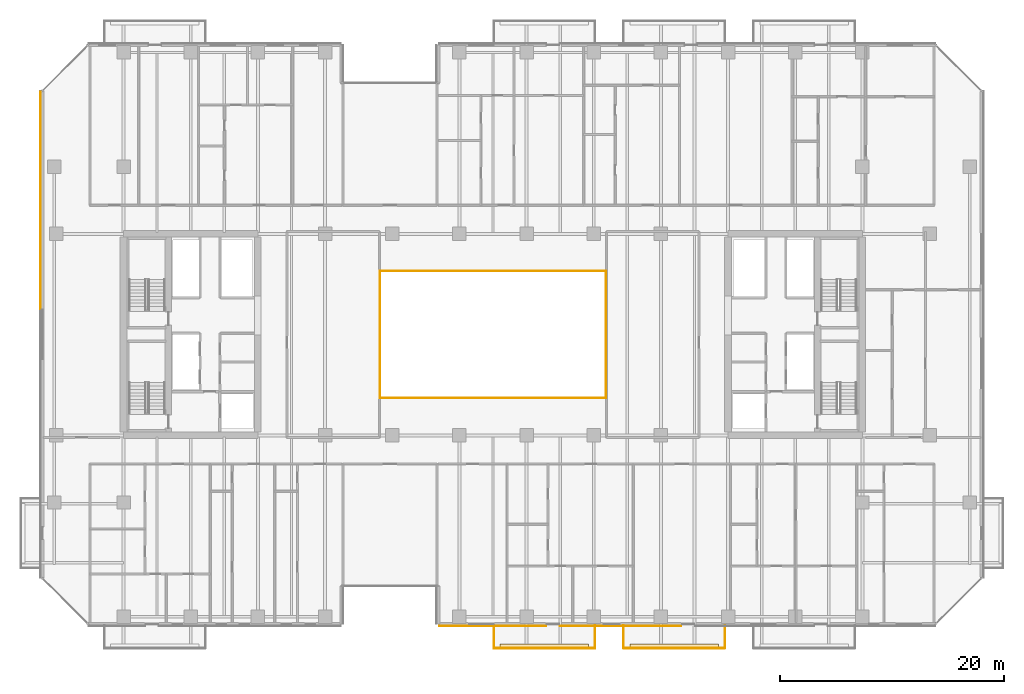
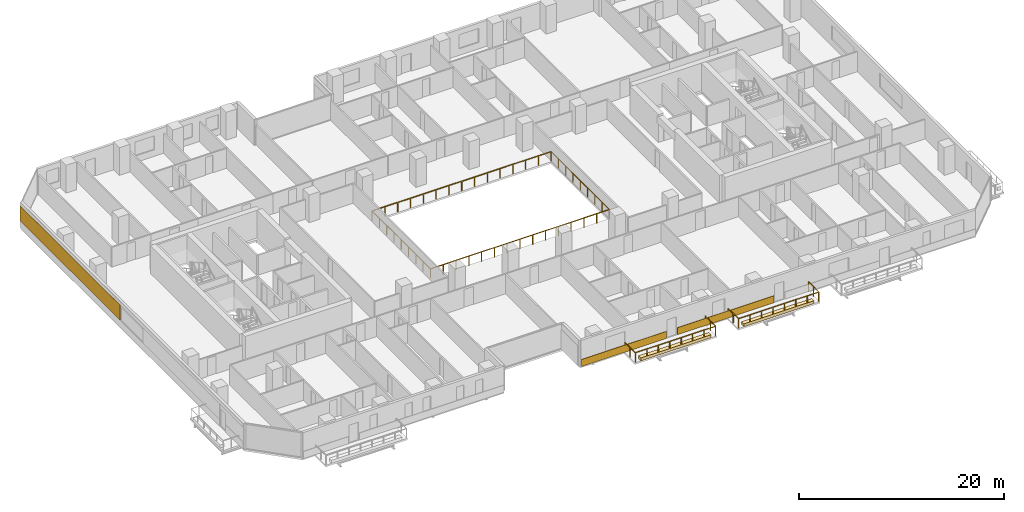
# One storey, part 28 of 33: 5 coverings, 4 railings.
"""IFC4 building model written with IfcOpenShell, lengths in metres."""

from ifc_helpers import new_model, si_unit, direction, frame, origin, origin_2d, place, context, subcontext, project, spatial, polyline, rectangle, outline, extrude, material, layer, layer_set, type_object, element, save


model = new_model("IFC4")

# Units and contexts
model_context = context("Model", 3, precision=1e-05, world=origin(), true_north=direction((0.0, 1.0)))
body_context = subcontext(model_context, "Body", "Model", "MODEL_VIEW")
ifc_project = project(units=[si_unit("LENGTHUNIT", "METRE"), si_unit("AREAUNIT", "SQUARE_METRE"), si_unit("VOLUMEUNIT", "CUBIC_METRE"), si_unit("PLANEANGLEUNIT", "RADIAN"), si_unit("MASSUNIT", "GRAM", prefix="KILO")], contexts=[model_context])

# Site, building, storey
site_placement = place(None, origin())
site = spatial("IfcSite", under=ifc_project, at=site_placement, CompositionType="ELEMENT")
building_placement = place(site_placement, origin())
building = spatial("IfcBuilding", under=site, at=building_placement, Name="Tanjung Sevakor Pilgrim Tower", CompositionType="ELEMENT")
storey_placement = place(building_placement, frame((0.0, 0.0, 32.340087890625)))
storey = spatial("IfcBuildingStorey", under=building, at=storey_placement, Name="L08", CompositionType="ELEMENT", Elevation=32.340087890625)

# Coverings
ifc_material_1 = material(Name="Reconstructed Limestone Cladding", Category="masonry")
ifc_layer_1 = layer(ifc_material_1, 0.044921875)
ifc_layer_set_1 = layer_set([ifc_layer_1], Name="COV-CLAD-LIMESTONE")
covering_type_1 = type_object("IfcCoveringType", Name="COV-CLAD-LIMESTONE", PredefinedType="CLADDING", material=ifc_layer_set_1)
covering_1_placement = place(storey_placement, frame((56.9599609375, 7.577392578125, 0.009765625), z_axis=(0.0, 0.0, 1.0), x_axis=(1.0, 0.0, 0.0)))
element("IfcCovering", 1, at=covering_1_placement, inside=storey, type_object=covering_type_1, Name="L08 Warm Limestone Sill Spandrel EW-L08-MAIN-5-1", PredefinedType="CLADDING", context=body_context, shape_type="SweptSolid", body=[
    extrude(rectangle(XDim=9.56005859375, YDim=0.044921875, at=origin_2d()), origin(), (0.0, 0.0, 1.0), 0.840087890625),
])
covering_2_placement = place(storey_placement, frame((68.39990234375, 7.577392578125, 0.009765625), z_axis=(0.0, 0.0, 1.0), x_axis=(1.0, 0.0, 0.0)))
element("IfcCovering", 2, at=covering_2_placement, inside=storey, type_object=covering_type_1, Name="L08 Warm Limestone Sill Spandrel EW-L08-MAIN-5-2", PredefinedType="CLADDING", context=body_context, shape_type="SweptSolid", body=[
    extrude(rectangle(XDim=10.8798828125, YDim=0.044921875, at=origin_2d()), origin(), (0.0, 0.0, 1.0), 0.840087890625),
])
covering_3_placement = place(storey_placement, frame((16.577392578125, 45.575927734375, 0.849853515625), z_axis=(0.0, 0.0, 1.0), x_axis=(0.0, -1.0, 0.0)))
element("IfcCovering", 3, at=covering_3_placement, inside=storey, type_object=covering_type_1, Name="L08 Warm Limestone Pier Panel EW-L08-MAIN-15-1", PredefinedType="CLADDING", context=body_context, shape_type="SweptSolid", body=[
    extrude(rectangle(XDim=19.451904296875, YDim=0.044921875, at=origin_2d()), origin(), (0.0, 0.0, 1.0), 1.81005859375),
])
ifc_material_2 = material(Name="Vegetated Modular Planter Assembly", Category="organic")
ifc_layer_2 = layer(ifc_material_2, 0.35009765625)
ifc_layer_set_2 = layer_set([ifc_layer_2], Name="COV-GRN-TROUGH")
covering_type_2 = type_object("IfcCoveringType", Name="COV-GRN-TROUGH", PredefinedType="CLADDING", material=ifc_layer_set_2)
covering_4_placement = place(storey_placement, origin())
element("IfcCovering", 4, at=covering_4_placement, inside=storey, type_object=covering_type_2, Name="L08 Planted Landscape Hedge Trough BGRN-L08-MAIN-S2", PredefinedType="CLADDING", context=body_context, shape_type="SweptSolid", body=[
    extrude(outline(polyline([(57.64990234375, 5.5), (65.550048828125, 5.5), (65.550048828125, 5.93994140625), (57.64990234375, 5.93994140625), (57.64990234375, 5.5)])), origin(), (0.0, 0.0, 1.0), 0.349853515625),
])
covering_5_placement = place(storey_placement, origin())
element("IfcCovering", 5, at=covering_5_placement, inside=storey, type_object=covering_type_2, Name="L08 Planted Landscape Hedge Trough BGRN-L08-MAIN-S3", PredefinedType="CLADDING", context=body_context, shape_type="SweptSolid", body=[
    extrude(outline(polyline([(69.25, 5.5), (77.14990234375, 5.5), (77.14990234375, 5.93994140625), (69.25, 5.93994140625), (69.25, 5.5)])), origin(), (0.0, 0.0, 1.0), 0.349853515625),
])

# Railings
ifc_material_3 = material(Name="Laminated Glass and Aluminium", Category="aluminium")
railing_type = type_object("IfcRailingType", Name="RL-BAL-BALUST", PredefinedType="BALUSTRADE", material=ifc_material_3)
railing_1_placement = place(storey_placement, frame((46.919921875, 27.919921875, 0.0)))
element("IfcRailing", 6, at=railing_1_placement, inside=storey, type_object=railing_type, Name="L08 Void Opening Balustrade 1A", PredefinedType="BALUSTRADE", context=body_context, shape_type="SweptSolid", body=[
    extrude(rectangle(XDim=0.0479, YDim=0.0479), frame((0.0, 0.0, 1.1259765625), z_axis=(1.0, 0.0, 0.0), x_axis=(0.0, 1.0, 0.0)), (0.0, 0.0, 1.0), 20.16015625),
    extrude(rectangle(XDim=0.0479, YDim=0.0479), frame((20.16015625, 0.0, 1.1259765625), z_axis=(0.0, 1.0, 0.0), x_axis=(-1.0, 0.0, 0.0)), (0.0, 0.0, 1.0), 11.360107421875),
    extrude(rectangle(XDim=0.042, YDim=0.042), origin(), (0.0, 0.0, 1.0), 1.101806640625),
    extrude(rectangle(XDim=0.042, YDim=0.042), frame((1.43994140625, 0.0, 0.0)), (0.0, 0.0, 1.0), 1.101806640625),
    extrude(rectangle(XDim=0.042, YDim=0.042), frame((2.880126953125, 0.0, 0.0)), (0.0, 0.0, 1.0), 1.101806640625),
    extrude(rectangle(XDim=0.042, YDim=0.042), frame((4.320068359375, 0.0, 0.0)), (0.0, 0.0, 1.0), 1.101806640625),
    extrude(rectangle(XDim=0.042, YDim=0.042), frame((5.760009765625, 0.0, 0.0)), (0.0, 0.0, 1.0), 1.101806640625),
    extrude(rectangle(XDim=0.042, YDim=0.042), frame((7.199951171875, 0.0, 0.0)), (0.0, 0.0, 1.0), 1.101806640625),
    extrude(rectangle(XDim=0.042, YDim=0.042), frame((8.64013671875, 0.0, 0.0)), (0.0, 0.0, 1.0), 1.101806640625),
    extrude(rectangle(XDim=0.042, YDim=0.042), frame((10.080078125, 0.0, 0.0)), (0.0, 0.0, 1.0), 1.101806640625),
    extrude(rectangle(XDim=0.042, YDim=0.042), frame((11.52001953125, 0.0, 0.0)), (0.0, 0.0, 1.0), 1.101806640625),
    extrude(rectangle(XDim=0.042, YDim=0.042), frame((12.960205078125, 0.0, 0.0)), (0.0, 0.0, 1.0), 1.101806640625),
    extrude(rectangle(XDim=0.042, YDim=0.042), frame((14.400146484375, 0.0, 0.0)), (0.0, 0.0, 1.0), 1.101806640625),
    extrude(rectangle(XDim=0.042, YDim=0.042), frame((15.840087890625, 0.0, 0.0)), (0.0, 0.0, 1.0), 1.101806640625),
    extrude(rectangle(XDim=0.042, YDim=0.042), frame((17.280029296875, 0.0, 0.0)), (0.0, 0.0, 1.0), 1.101806640625),
    extrude(rectangle(XDim=0.042, YDim=0.042), frame((18.72021484375, 0.0, 0.0)), (0.0, 0.0, 1.0), 1.101806640625),
    extrude(rectangle(XDim=0.042, YDim=0.042), frame((20.16015625, 0.0, 0.0)), (0.0, 0.0, 1.0), 1.101806640625),
    extrude(rectangle(XDim=0.042, YDim=0.042), frame((20.16015625, 1.419921875, 0.0)), (0.0, 0.0, 1.0), 1.101806640625),
    extrude(rectangle(XDim=0.042, YDim=0.042), frame((20.16015625, 2.840087890625, 0.0)), (0.0, 0.0, 1.0), 1.101806640625),
    extrude(rectangle(XDim=0.042, YDim=0.042), frame((20.16015625, 4.260009765625, 0.0)), (0.0, 0.0, 1.0), 1.101806640625),
    extrude(rectangle(XDim=0.042, YDim=0.042), frame((20.16015625, 5.68017578125, 0.0)), (0.0, 0.0, 1.0), 1.101806640625),
    extrude(rectangle(XDim=0.042, YDim=0.042), frame((20.16015625, 7.10009765625, 0.0)), (0.0, 0.0, 1.0), 1.101806640625),
    extrude(rectangle(XDim=0.042, YDim=0.042), frame((20.16015625, 8.52001953125, 0.0)), (0.0, 0.0, 1.0), 1.101806640625),
    extrude(rectangle(XDim=0.042, YDim=0.042), frame((20.16015625, 9.940185546875, 0.0)), (0.0, 0.0, 1.0), 1.101806640625),
    extrude(rectangle(XDim=0.042, YDim=0.042), frame((20.16015625, 11.360107421875, 0.0)), (0.0, 0.0, 1.0), 1.101806640625),
])
railing_2_placement = place(storey_placement, frame((67.080078125, 39.280029296875, 0.0)))
element("IfcRailing", 7, at=railing_2_placement, inside=storey, type_object=railing_type, Name="L08 Void Opening Balustrade 1B", PredefinedType="BALUSTRADE", context=body_context, shape_type="SweptSolid", body=[
    extrude(rectangle(XDim=0.0479, YDim=0.0479), frame((0.0, 0.0, 1.1259765625), z_axis=(-1.0, 0.0, 0.0), x_axis=(0.0, -1.0, 0.0)), (0.0, 0.0, 1.0), 20.16015625),
    extrude(rectangle(XDim=0.0479, YDim=0.0479), frame((-20.16015625, 0.0, 1.1259765625), z_axis=(0.0, -1.0, 0.0), x_axis=(1.0, 0.0, 0.0)), (0.0, 0.0, 1.0), 11.360107421875),
    extrude(rectangle(XDim=0.042, YDim=0.042), origin(), (0.0, 0.0, 1.0), 1.101806640625),
    extrude(rectangle(XDim=0.042, YDim=0.042), frame((-1.43994140625, 0.0, 0.0)), (0.0, 0.0, 1.0), 1.101806640625),
    extrude(rectangle(XDim=0.042, YDim=0.042), frame((-2.880126953125, 0.0, 0.0)), (0.0, 0.0, 1.0), 1.101806640625),
    extrude(rectangle(XDim=0.042, YDim=0.042), frame((-4.320068359375, 0.0, 0.0)), (0.0, 0.0, 1.0), 1.101806640625),
    extrude(rectangle(XDim=0.042, YDim=0.042), frame((-5.760009765625, 0.0, 0.0)), (0.0, 0.0, 1.0), 1.101806640625),
    extrude(rectangle(XDim=0.042, YDim=0.042), frame((-7.199951171875, 0.0, 0.0)), (0.0, 0.0, 1.0), 1.101806640625),
    extrude(rectangle(XDim=0.042, YDim=0.042), frame((-8.64013671875, 0.0, 0.0)), (0.0, 0.0, 1.0), 1.101806640625),
    extrude(rectangle(XDim=0.042, YDim=0.042), frame((-10.080078125, 0.0, 0.0)), (0.0, 0.0, 1.0), 1.101806640625),
    extrude(rectangle(XDim=0.042, YDim=0.042), frame((-11.52001953125, 0.0, 0.0)), (0.0, 0.0, 1.0), 1.101806640625),
    extrude(rectangle(XDim=0.042, YDim=0.042), frame((-12.960205078125, 0.0, 0.0)), (0.0, 0.0, 1.0), 1.101806640625),
    extrude(rectangle(XDim=0.042, YDim=0.042), frame((-14.400146484375, 0.0, 0.0)), (0.0, 0.0, 1.0), 1.101806640625),
    extrude(rectangle(XDim=0.042, YDim=0.042), frame((-15.840087890625, 0.0, 0.0)), (0.0, 0.0, 1.0), 1.101806640625),
    extrude(rectangle(XDim=0.042, YDim=0.042), frame((-17.280029296875, 0.0, 0.0)), (0.0, 0.0, 1.0), 1.101806640625),
    extrude(rectangle(XDim=0.042, YDim=0.042), frame((-18.72021484375, 0.0, 0.0)), (0.0, 0.0, 1.0), 1.101806640625),
    extrude(rectangle(XDim=0.042, YDim=0.042), frame((-20.16015625, 0.0, 0.0)), (0.0, 0.0, 1.0), 1.101806640625),
    extrude(rectangle(XDim=0.042, YDim=0.042), frame((-20.16015625, -1.419921875, 0.0)), (0.0, 0.0, 1.0), 1.101806640625),
    extrude(rectangle(XDim=0.042, YDim=0.042), frame((-20.16015625, -2.840087890625, 0.0)), (0.0, 0.0, 1.0), 1.101806640625),
    extrude(rectangle(XDim=0.042, YDim=0.042), frame((-20.16015625, -4.260009765625, 0.0)), (0.0, 0.0, 1.0), 1.101806640625),
    extrude(rectangle(XDim=0.042, YDim=0.042), frame((-20.16015625, -5.68017578125, 0.0)), (0.0, 0.0, 1.0), 1.101806640625),
    extrude(rectangle(XDim=0.042, YDim=0.042), frame((-20.16015625, -7.10009765625, 0.0)), (0.0, 0.0, 1.0), 1.101806640625),
    extrude(rectangle(XDim=0.042, YDim=0.042), frame((-20.16015625, -8.52001953125, 0.0)), (0.0, 0.0, 1.0), 1.101806640625),
    extrude(rectangle(XDim=0.042, YDim=0.042), frame((-20.16015625, -9.940185546875, 0.0)), (0.0, 0.0, 1.0), 1.101806640625),
    extrude(rectangle(XDim=0.042, YDim=0.042), frame((-20.16015625, -11.360107421875, 0.0)), (0.0, 0.0, 1.0), 1.101806640625),
])
railing_3_placement = place(storey_placement, frame((57.080078125, 7.60009765625, 0.0)))
element("IfcRailing", 8, at=railing_3_placement, inside=storey, type_object=railing_type, Name="L08 Loggia Balustrade MAIN-S2", PredefinedType="BALUSTRADE", context=body_context, shape_type="SweptSolid", body=[
    extrude(rectangle(XDim=0.0479, YDim=0.0479), frame((0.0, 0.0, 1.1259765625), z_axis=(0.0, -1.0, 0.0), x_axis=(1.0, 0.0, 0.0)), (0.0, 0.0, 1.0), 2.02001953125),
    extrude(rectangle(XDim=0.0479, YDim=0.0479), frame((0.0, -2.02001953125, 1.1259765625), z_axis=(1.0, 0.0, 0.0), x_axis=(0.0, 1.0, 0.0)), (0.0, 0.0, 1.0), 9.0400390625),
    extrude(rectangle(XDim=0.0479, YDim=0.0479), frame((9.0400390625, -2.02001953125, 1.1259765625), z_axis=(0.0, 1.0, 0.0), x_axis=(-1.0, 0.0, 0.0)), (0.0, 0.0, 1.0), 2.02001953125),
    extrude(rectangle(XDim=0.042, YDim=0.042), origin(), (0.0, 0.0, 1.0), 1.101806640625),
    extrude(rectangle(XDim=0.042, YDim=0.042), frame((0.0, -1.010009765625, 0.0)), (0.0, 0.0, 1.0), 1.101806640625),
    extrude(rectangle(XDim=0.042, YDim=0.042), frame((0.0, -2.02001953125, 0.0)), (0.0, 0.0, 1.0), 1.101806640625),
    extrude(rectangle(XDim=0.042, YDim=0.042), frame((1.29150390625, -2.02001953125, 0.0)), (0.0, 0.0, 1.0), 1.101806640625),
    extrude(rectangle(XDim=0.042, YDim=0.042), frame((2.582763671875, -2.02001953125, 0.0)), (0.0, 0.0, 1.0), 1.101806640625),
    extrude(rectangle(XDim=0.042, YDim=0.042), frame((3.874267578125, -2.02001953125, 0.0)), (0.0, 0.0, 1.0), 1.101806640625),
    extrude(rectangle(XDim=0.042, YDim=0.042), frame((5.165771484375, -2.02001953125, 0.0)), (0.0, 0.0, 1.0), 1.101806640625),
    extrude(rectangle(XDim=0.042, YDim=0.042), frame((6.457275390625, -2.02001953125, 0.0)), (0.0, 0.0, 1.0), 1.101806640625),
    extrude(rectangle(XDim=0.042, YDim=0.042), frame((7.74853515625, -2.02001953125, 0.0)), (0.0, 0.0, 1.0), 1.101806640625),
    extrude(rectangle(XDim=0.042, YDim=0.042), frame((9.0400390625, -2.02001953125, 0.0)), (0.0, 0.0, 1.0), 1.101806640625),
    extrude(rectangle(XDim=0.042, YDim=0.042), frame((9.0400390625, -1.010009765625, 0.0)), (0.0, 0.0, 1.0), 1.101806640625),
    extrude(rectangle(XDim=0.042, YDim=0.042), frame((9.0400390625, 0.0, 0.0)), (0.0, 0.0, 1.0), 1.101806640625),
])
railing_4_placement = place(storey_placement, frame((68.679931640625, 7.60009765625, 0.0)))
element("IfcRailing", 9, at=railing_4_placement, inside=storey, type_object=railing_type, Name="L08 Loggia Balustrade MAIN-S3", PredefinedType="BALUSTRADE", context=body_context, shape_type="SweptSolid", body=[
    extrude(rectangle(XDim=0.0479, YDim=0.0479), frame((0.0, 0.0, 1.1259765625), z_axis=(0.0, -1.0, 0.0), x_axis=(1.0, 0.0, 0.0)), (0.0, 0.0, 1.0), 2.02001953125),
    extrude(rectangle(XDim=0.0479, YDim=0.0479), frame((0.0, -2.02001953125, 1.1259765625), z_axis=(1.0, 0.0, 0.0), x_axis=(0.0, 1.0, 0.0)), (0.0, 0.0, 1.0), 9.0400390625),
    extrude(rectangle(XDim=0.0479, YDim=0.0479), frame((9.0400390625, -2.02001953125, 1.1259765625), z_axis=(0.0, 1.0, 0.0), x_axis=(-1.0, 0.0, 0.0)), (0.0, 0.0, 1.0), 2.02001953125),
    extrude(rectangle(XDim=0.042, YDim=0.042), origin(), (0.0, 0.0, 1.0), 1.101806640625),
    extrude(rectangle(XDim=0.042, YDim=0.042), frame((0.0, -1.010009765625, 0.0)), (0.0, 0.0, 1.0), 1.101806640625),
    extrude(rectangle(XDim=0.042, YDim=0.042), frame((0.0, -2.02001953125, 0.0)), (0.0, 0.0, 1.0), 1.101806640625),
    extrude(rectangle(XDim=0.042, YDim=0.042), frame((1.29150390625, -2.02001953125, 0.0)), (0.0, 0.0, 1.0), 1.101806640625),
    extrude(rectangle(XDim=0.042, YDim=0.042), frame((2.582763671875, -2.02001953125, 0.0)), (0.0, 0.0, 1.0), 1.101806640625),
    extrude(rectangle(XDim=0.042, YDim=0.042), frame((3.874267578125, -2.02001953125, 0.0)), (0.0, 0.0, 1.0), 1.101806640625),
    extrude(rectangle(XDim=0.042, YDim=0.042), frame((5.165771484375, -2.02001953125, 0.0)), (0.0, 0.0, 1.0), 1.101806640625),
    extrude(rectangle(XDim=0.042, YDim=0.042), frame((6.457275390625, -2.02001953125, 0.0)), (0.0, 0.0, 1.0), 1.101806640625),
    extrude(rectangle(XDim=0.042, YDim=0.042), frame((7.74853515625, -2.02001953125, 0.0)), (0.0, 0.0, 1.0), 1.101806640625),
    extrude(rectangle(XDim=0.042, YDim=0.042), frame((9.0400390625, -2.02001953125, 0.0)), (0.0, 0.0, 1.0), 1.101806640625),
    extrude(rectangle(XDim=0.042, YDim=0.042), frame((9.0400390625, -1.010009765625, 0.0)), (0.0, 0.0, 1.0), 1.101806640625),
    extrude(rectangle(XDim=0.042, YDim=0.042), frame((9.0400390625, 0.0, 0.0)), (0.0, 0.0, 1.0), 1.101806640625),
])

save(model, "model.ifc")
